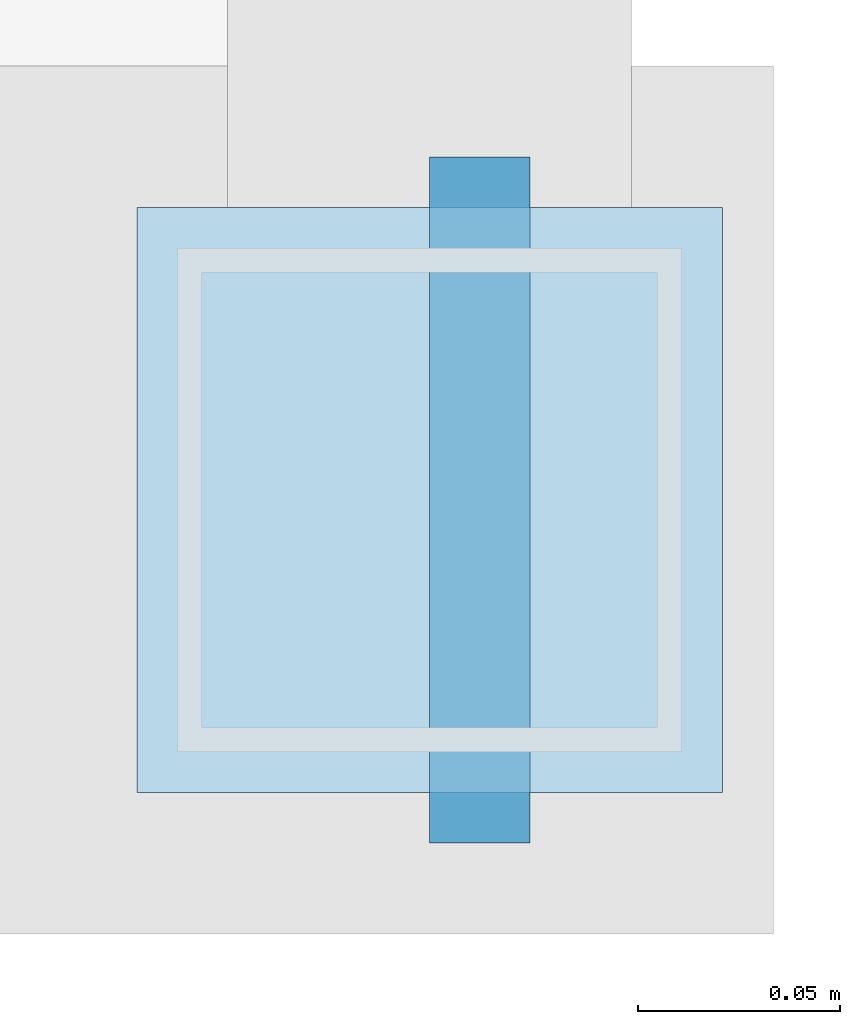
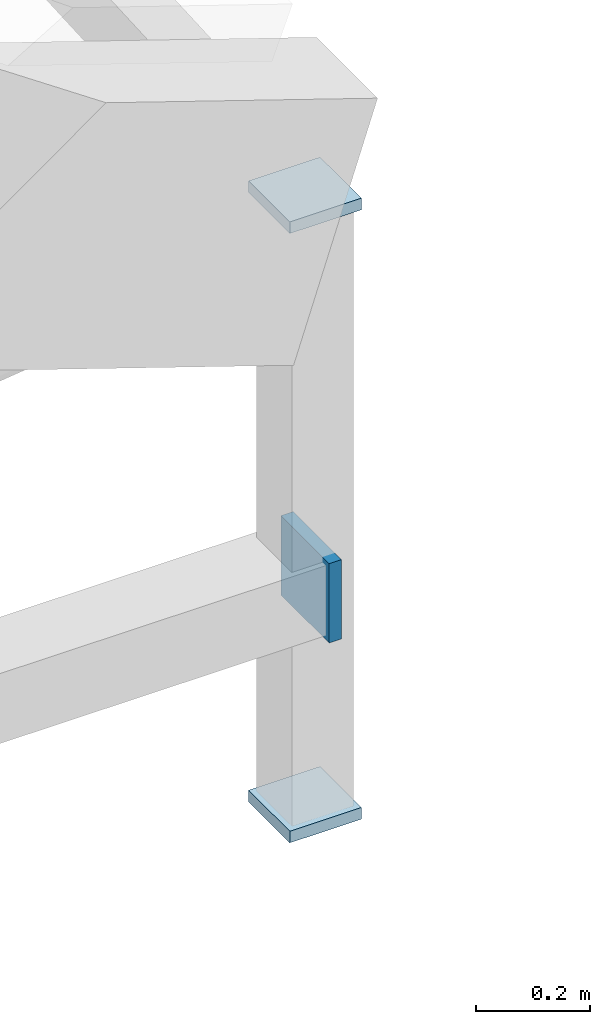
# One storey, part 103 of 134: 3 plates.
"""IFC4 building model written with IfcOpenShell, lengths in metres."""

from ifc_helpers import new_model, si_unit, direction, frame, origin, origin_2d, place, context, subcontext, project, spatial, rectangle, extrude, material, layer, layer_set, type_object, element, save


model = new_model("IFC4")

# Units and contexts
model_context = context("Model", 3, precision=1e-05, world=origin(), true_north=direction((0.0, 1.0)))
body_context = subcontext(model_context, "Body", "Model", "MODEL_VIEW")
ifc_project = project(units=[si_unit("LENGTHUNIT", "METRE"), si_unit("AREAUNIT", "SQUARE_METRE"), si_unit("VOLUMEUNIT", "CUBIC_METRE"), si_unit("PLANEANGLEUNIT", "RADIAN"), si_unit("MASSUNIT", "GRAM", prefix="KILO")], contexts=[model_context])

# Site, building, storey
site_placement = place(None, origin())
site = spatial("IfcSite", under=ifc_project, at=site_placement, CompositionType="ELEMENT")
building_placement = place(site_placement, origin())
building = spatial("IfcBuilding", under=site, at=building_placement, Name="Karori Crest Natural Sciences Institute", CompositionType="ELEMENT")
storey_placement = place(building_placement, frame((0.0, 0.0, 21.699951171875)))
storey = spatial("IfcBuildingStorey", under=building, at=storey_placement, Name="L05", CompositionType="ELEMENT", Elevation=21.699951171875)

# Plates
ifc_material = material(Name="Structural steel AS/NZS 3679.1 Grade 350", Category="steel")
ifc_layer_1 = layer(ifc_material, 0.02490234375, Name="Structural steel AS/NZS 3679.1 Grade 350")
ifc_layer_set_1 = layer_set([ifc_layer_1], Name="Structural steel AS/NZS 3679.1 Grade 350")
plate_type_1 = type_object("IfcPlateType", Name="PLT-06", PredefinedType="SHEET", material=ifc_layer_set_1)
plate_placement = place(storey_placement, frame((27.21240234375, 31.199951171875, 0.03515625), z_axis=(0.0, 0.0, 1.0), x_axis=(1.0, 0.0, 0.0)))
element("IfcPlate", 1, at=plate_placement, inside=storey, type_object=plate_type_1, Name="Hollow section end cap EP-0316", PredefinedType="SHEET", context=body_context, shape_type="SweptSolid", body=[
    extrude(rectangle(XDim=0.02490234375, YDim=0.169921875, at=origin_2d()), origin(), (0.0, 0.0, 1.0), 0.169921875),
])
ifc_layer_2 = layer(ifc_material, 0.02490234375, Name="Structural steel AS/NZS 3679.1 Grade 350")
ifc_layer_set_2 = layer_set([ifc_layer_2], Name="Structural steel AS/NZS 3679.1 Grade 350")
plate_type_2 = type_object("IfcPlateType", Name="PLT-06-EL", PredefinedType="SHEET", material=ifc_layer_set_2)
for number, where, z_axis, x_axis, name in (
    (2, (27.199951171875, 31.199951171875, -0.375), (0.0, 0.0, 1.0), (1.0, 0.0, 0.0), "Hollow section end cap EP-0313"),
    (3, (27.199951171875, 31.199951171875, 0.93017578125), (0.0, 0.0, 1.0), (1.0, 0.0, 0.0), "Hollow section end cap EP-0314"),
):
    element("IfcPlate", number, at=place(storey_placement, frame(where, z_axis=z_axis, x_axis=x_axis)), inside=storey, type_object=plate_type_2, Name=name, PredefinedType="SHEET", context=body_context, shape_type="SweptSolid", body=[
        extrude(rectangle(XDim=0.14501953125, YDim=0.14501953125, at=origin_2d()), origin(), (0.0, 0.0, 1.0), 0.02490234375),
    ])

save(model, "model.ifc")
